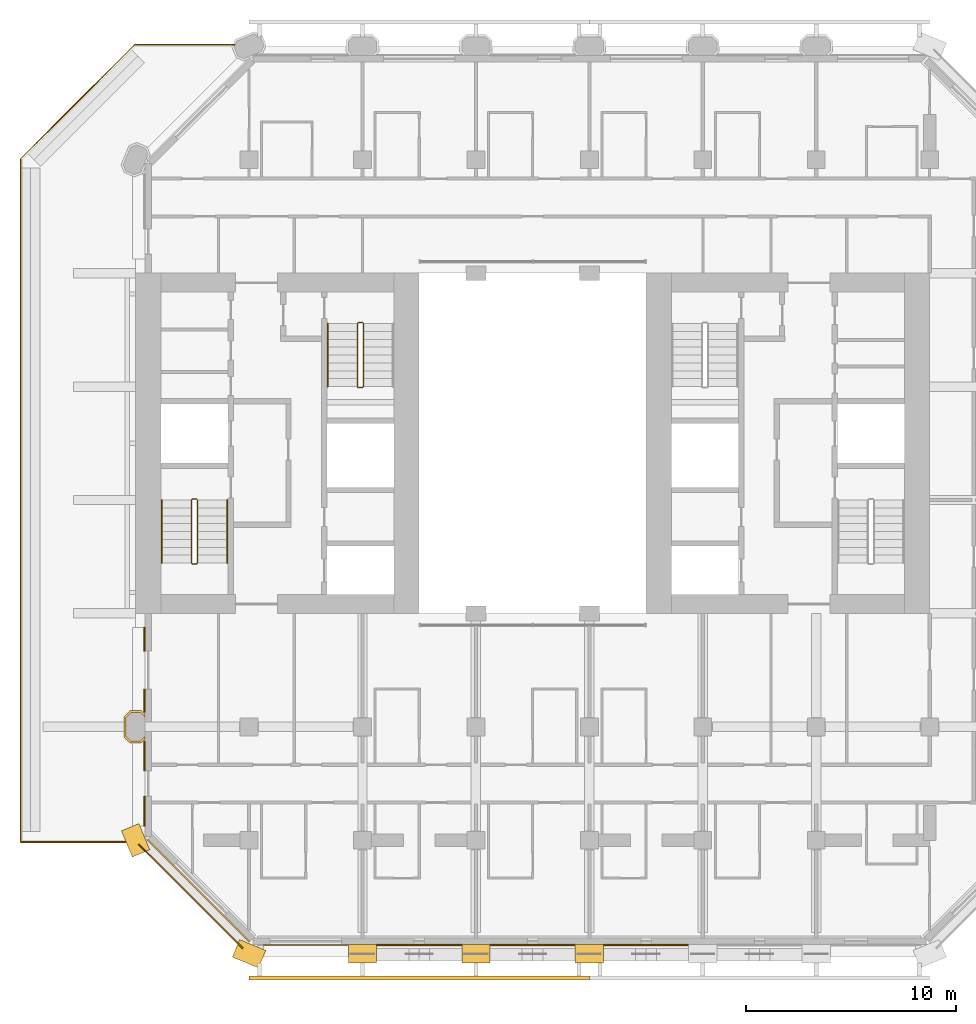
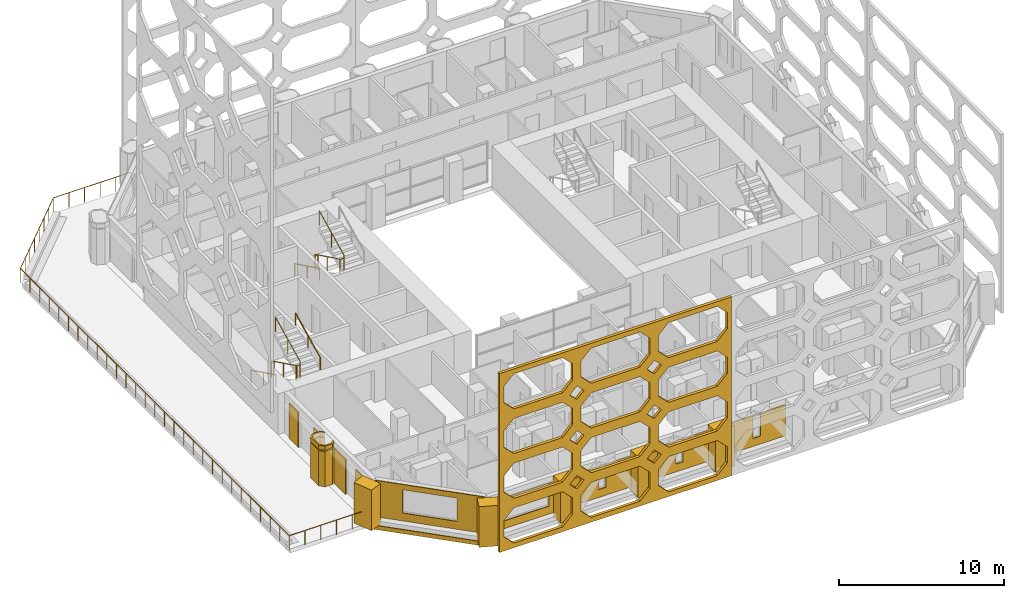
# One storey, part 13 of 16: 18 coverings, 6 railings.
"""IFC4 building model written with IfcOpenShell, lengths in metres."""

from ifc_helpers import new_model, si_unit, direction, frame, frame_2d, origin, origin_2d, place, context, subcontext, project, spatial, polyline, rectangle, circle, outline, extrude, material, layer, layer_set, type_object, element, save


model = new_model("IFC4")

# Units and contexts
model_context = context("Model", 3, precision=1e-05, world=origin(), true_north=direction((0.0, 1.0)))
body_context = subcontext(model_context, "Body", "Model", "MODEL_VIEW")
ifc_project = project(units=[si_unit("LENGTHUNIT", "METRE"), si_unit("AREAUNIT", "SQUARE_METRE"), si_unit("VOLUMEUNIT", "CUBIC_METRE"), si_unit("PLANEANGLEUNIT", "RADIAN"), si_unit("MASSUNIT", "GRAM", prefix="KILO")], contexts=[model_context])

# Site, building, storey
site_placement = place(None, origin())
site = spatial("IfcSite", under=ifc_project, at=site_placement, CompositionType="ELEMENT")
building_placement = place(site_placement, origin())
building = spatial("IfcBuilding", under=site, at=building_placement, Name="Tabaq Tower and Sports Hall", CompositionType="ELEMENT")
storey_placement = place(building_placement, frame((0.0, 0.0, 152.800048828125)))
storey = spatial("IfcBuildingStorey", under=building, at=storey_placement, Name="L35", CompositionType="ELEMENT", Elevation=152.800048828125)

# Coverings
ifc_material_1 = material(Name="Precast concrete C60/75", Category="concrete")
ifc_layer_1 = layer(ifc_material_1, 0.10009765625)
ifc_layer_set_1 = layer_set([ifc_layer_1], Name="Column cladding 100")
covering_type_1 = type_object("IfcCoveringType", Name="Column cladding 100", PredefinedType="CLADDING", material=ifc_layer_set_1)
covering_1_placement = place(storey_placement, origin())
element("IfcCovering", 1, at=covering_1_placement, inside=storey, type_object=covering_type_1, Name="Column cladding L35 PC-2C-H1", PredefinedType="CLADDING", context=body_context, shape_type="SweptSolid", body=[
    extrude(outline(polyline([(5.1337890625, 10.025390625), (4.850341796875, 10.30859375), (4.850341796875, 11.291259765625), (5.1337890625, 11.57470703125), (5.666259765625, 11.57470703125), (5.849609375, 11.391357421875), (5.849609375, 11.250732421875), (5.625244140625, 11.475341796875), (5.1748046875, 11.475341796875), (4.94970703125, 11.250244140625), (4.94970703125, 10.349853515625), (5.1748046875, 10.124755859375), (5.625244140625, 10.124755859375), (5.849609375, 10.349365234375), (5.849609375, 10.208740234375), (5.666259765625, 10.025390625), (5.1337890625, 10.025390625)])), origin(), (0.0, 0.0, 1.0), 2.599853515625),
])
covering_2_placement = place(storey_placement, frame((0.0, 0.0, 2.699951171875)))
element("IfcCovering", 2, at=covering_2_placement, inside=storey, type_object=covering_type_1, Name="Column cladding L35 PC-2C-H1 2", PredefinedType="CLADDING", context=body_context, shape_type="SweptSolid", body=[
    extrude(outline(polyline([(5.1337890625, 10.025390625), (4.850341796875, 10.30859375), (4.850341796875, 11.291259765625), (5.1337890625, 11.57470703125), (5.666259765625, 11.57470703125), (5.849609375, 11.391357421875), (5.849609375, 11.250732421875), (5.625244140625, 11.475341796875), (5.1748046875, 11.475341796875), (4.94970703125, 11.250244140625), (4.94970703125, 10.349853515625), (5.1748046875, 10.124755859375), (5.625244140625, 10.124755859375), (5.849609375, 10.349365234375), (5.849609375, 10.208740234375), (5.666259765625, 10.025390625), (5.1337890625, 10.025390625)])), origin(), (0.0, 0.0, 1.0), 0.300048828125),
])
ifc_material_2 = material(Name="Precast concrete C60/75", Category="concrete")
ifc_layer_2 = layer(ifc_material_2, 0.06005859375)
ifc_layer_set_2 = layer_set([ifc_layer_2], Name="Edge beam cladding 60")
covering_type_2 = type_object("IfcCoveringType", Name="Edge beam cladding 60", PredefinedType="CLADDING", material=ifc_layer_set_2)
covering_3_placement = place(storey_placement, frame((5.5556640625, 5.201904296875, -0.300048828125), z_axis=(0.0, 0.0, 1.0), x_axis=(0.707106781187, -0.707106781187, 0.0)))
element("IfcCovering", 3, at=covering_3_placement, inside=storey, type_object=covering_type_2, Name="Edge beam cladding L35 1", PredefinedType="CLADDING", context=body_context, shape_type="SweptSolid", body=[
    extrude(rectangle(XDim=6.984375, YDim=0.06005859375, at=frame_2d((3.4921875, 0.0))), origin(), (0.0, 0.0, 1.0), 0.300048828125),
])

# Railing
ifc_material_3 = material(Name="Stainless steel S316 and laminated glass", Category="steel")
railing_type_1 = type_object("IfcRailingType", Name="Guard 1100 steel and glass", PredefinedType="GUARDRAIL", material=ifc_material_3)
railing_1_placement = place(storey_placement, frame((5.39990234375, 5.320068359375, 0.0)))
element("IfcRailing", 4, at=railing_1_placement, inside=storey, type_object=railing_type_1, Name="Terrace guard L35", PredefinedType="GUARDRAIL", context=body_context, shape_type="SweptSolid", body=[
    extrude(circle(Radius=0.02490234375, at=origin_2d()), frame((0.0, 0.0, 1.0751953125), z_axis=(-1.0, 0.0, 0.0), x_axis=(0.0, -1.0, 0.0)), (0.0, 0.0, 1.0), 5.47998046875),
    extrude(circle(Radius=0.02490234375, at=origin_2d()), frame((-5.47998046875, 0.0, 1.0751953125), z_axis=(0.0, 1.0, 0.0), x_axis=(-1.0, 0.0, 0.0)), (0.0, 0.0, 1.0), 32.51318359375),
    extrude(circle(Radius=0.02490234375, at=origin_2d()), frame((-5.47998046875, 32.51318359375, 1.0751953125), z_axis=(0.70712262796, 0.707090934058, 0.0), x_axis=(-0.707090934058, 0.70712262796, 0.0)), (0.0, 0.0, 1.0), 7.703125),
    extrude(circle(Radius=0.02490234375, at=origin_2d()), frame((-0.032958984375, 37.9599609375, 1.0751953125), z_axis=(1.0, 0.0, 0.0), x_axis=(0.0, 1.0, 0.0)), (0.0, 0.0, 1.0), 5.43310546875),
    extrude(circle(Radius=0.02001953125, at=origin_2d()), origin(), (0.0, 0.0, 1.0), 1.050048828125),
    extrude(circle(Radius=0.02001953125, at=origin_2d()), frame((-1.095947265625, 0.0, 0.0)), (0.0, 0.0, 1.0), 1.050048828125),
    extrude(circle(Radius=0.02001953125, at=origin_2d()), frame((-2.19189453125, 0.0, 0.0)), (0.0, 0.0, 1.0), 1.050048828125),
    extrude(circle(Radius=0.02001953125, at=origin_2d()), frame((-3.2880859375, 0.0, 0.0)), (0.0, 0.0, 1.0), 1.050048828125),
    extrude(circle(Radius=0.02001953125, at=origin_2d()), frame((-4.384033203125, 0.0, 0.0)), (0.0, 0.0, 1.0), 1.050048828125),
    extrude(circle(Radius=0.02001953125, at=origin_2d()), frame((-5.47998046875, 0.0, 0.0)), (0.0, 0.0, 1.0), 1.050048828125),
    extrude(circle(Radius=0.02001953125, at=origin_2d()), frame((-5.47998046875, 1.1611328125, 0.0)), (0.0, 0.0, 1.0), 1.050048828125),
    extrude(circle(Radius=0.02001953125, at=origin_2d()), frame((-5.47998046875, 2.322265625, 0.0)), (0.0, 0.0, 1.0), 1.050048828125),
    extrude(circle(Radius=0.02001953125, at=origin_2d()), frame((-5.47998046875, 3.483642578125, 0.0)), (0.0, 0.0, 1.0), 1.050048828125),
    extrude(circle(Radius=0.02001953125, at=origin_2d()), frame((-5.47998046875, 4.644775390625, 0.0)), (0.0, 0.0, 1.0), 1.050048828125),
    extrude(circle(Radius=0.02001953125, at=origin_2d()), frame((-5.47998046875, 5.805908203125, 0.0)), (0.0, 0.0, 1.0), 1.050048828125),
    extrude(circle(Radius=0.02001953125, at=origin_2d()), frame((-5.47998046875, 6.967041015625, 0.0)), (0.0, 0.0, 1.0), 1.050048828125),
    extrude(circle(Radius=0.02001953125, at=origin_2d()), frame((-5.47998046875, 8.12841796875, 0.0)), (0.0, 0.0, 1.0), 1.050048828125),
    extrude(circle(Radius=0.02001953125, at=origin_2d()), frame((-5.47998046875, 9.28955078125, 0.0)), (0.0, 0.0, 1.0), 1.050048828125),
    extrude(circle(Radius=0.02001953125, at=origin_2d()), frame((-5.47998046875, 10.45068359375, 0.0)), (0.0, 0.0, 1.0), 1.050048828125),
    extrude(circle(Radius=0.02001953125, at=origin_2d()), frame((-5.47998046875, 11.61181640625, 0.0)), (0.0, 0.0, 1.0), 1.050048828125),
    extrude(circle(Radius=0.02001953125, at=origin_2d()), frame((-5.47998046875, 12.77294921875, 0.0)), (0.0, 0.0, 1.0), 1.050048828125),
    extrude(circle(Radius=0.02001953125, at=origin_2d()), frame((-5.47998046875, 13.934326171875, 0.0)), (0.0, 0.0, 1.0), 1.050048828125),
    extrude(circle(Radius=0.02001953125, at=origin_2d()), frame((-5.47998046875, 15.095458984375, 0.0)), (0.0, 0.0, 1.0), 1.050048828125),
    extrude(circle(Radius=0.02001953125, at=origin_2d()), frame((-5.47998046875, 16.256591796875, 0.0)), (0.0, 0.0, 1.0), 1.050048828125),
    extrude(circle(Radius=0.02001953125, at=origin_2d()), frame((-5.47998046875, 17.417724609375, 0.0)), (0.0, 0.0, 1.0), 1.050048828125),
    extrude(circle(Radius=0.02001953125, at=origin_2d()), frame((-5.47998046875, 18.578857421875, 0.0)), (0.0, 0.0, 1.0), 1.050048828125),
    extrude(circle(Radius=0.02001953125, at=origin_2d()), frame((-5.47998046875, 19.740234375, 0.0)), (0.0, 0.0, 1.0), 1.050048828125),
    extrude(circle(Radius=0.02001953125, at=origin_2d()), frame((-5.47998046875, 20.9013671875, 0.0)), (0.0, 0.0, 1.0), 1.050048828125),
    extrude(circle(Radius=0.02001953125, at=origin_2d()), frame((-5.47998046875, 22.0625, 0.0)), (0.0, 0.0, 1.0), 1.050048828125),
    extrude(circle(Radius=0.02001953125, at=origin_2d()), frame((-5.47998046875, 23.2236328125, 0.0)), (0.0, 0.0, 1.0), 1.050048828125),
    extrude(circle(Radius=0.02001953125, at=origin_2d()), frame((-5.47998046875, 24.384765625, 0.0)), (0.0, 0.0, 1.0), 1.050048828125),
    extrude(circle(Radius=0.02001953125, at=origin_2d()), frame((-5.47998046875, 25.546142578125, 0.0)), (0.0, 0.0, 1.0), 1.050048828125),
    extrude(circle(Radius=0.02001953125, at=origin_2d()), frame((-5.47998046875, 26.707275390625, 0.0)), (0.0, 0.0, 1.0), 1.050048828125),
    extrude(circle(Radius=0.02001953125, at=origin_2d()), frame((-5.47998046875, 27.868408203125, 0.0)), (0.0, 0.0, 1.0), 1.050048828125),
    extrude(circle(Radius=0.02001953125, at=origin_2d()), frame((-5.47998046875, 29.029541015625, 0.0)), (0.0, 0.0, 1.0), 1.050048828125),
    extrude(circle(Radius=0.02001953125, at=origin_2d()), frame((-5.47998046875, 30.19091796875, 0.0)), (0.0, 0.0, 1.0), 1.050048828125),
    extrude(circle(Radius=0.02001953125, at=origin_2d()), frame((-5.47998046875, 31.35205078125, 0.0)), (0.0, 0.0, 1.0), 1.050048828125),
    extrude(circle(Radius=0.02001953125, at=origin_2d()), frame((-5.47998046875, 32.51318359375, 0.0)), (0.0, 0.0, 1.0), 1.050048828125),
    extrude(circle(Radius=0.02001953125, at=origin_2d()), frame((-4.701904296875, 33.291259765625, 0.0)), (0.0, 0.0, 1.0), 1.050048828125),
    extrude(circle(Radius=0.02001953125, at=origin_2d()), frame((-3.923583984375, 34.0693359375, 0.0)), (0.0, 0.0, 1.0), 1.050048828125),
    extrude(circle(Radius=0.02001953125, at=origin_2d()), frame((-3.1455078125, 34.847412109375, 0.0)), (0.0, 0.0, 1.0), 1.050048828125),
    extrude(circle(Radius=0.02001953125, at=origin_2d()), frame((-2.367431640625, 35.625732421875, 0.0)), (0.0, 0.0, 1.0), 1.050048828125),
    extrude(circle(Radius=0.02001953125, at=origin_2d()), frame((-1.58935546875, 36.40380859375, 0.0)), (0.0, 0.0, 1.0), 1.050048828125),
    extrude(circle(Radius=0.02001953125, at=origin_2d()), frame((-0.81103515625, 37.181884765625, 0.0)), (0.0, 0.0, 1.0), 1.050048828125),
    extrude(circle(Radius=0.02001953125, at=origin_2d()), frame((-0.032958984375, 37.9599609375, 0.0)), (0.0, 0.0, 1.0), 1.050048828125),
    extrude(circle(Radius=0.02001953125, at=origin_2d()), frame((1.0537109375, 37.9599609375, 0.0)), (0.0, 0.0, 1.0), 1.050048828125),
    extrude(circle(Radius=0.02001953125, at=origin_2d()), frame((2.140380859375, 37.9599609375, 0.0)), (0.0, 0.0, 1.0), 1.050048828125),
    extrude(circle(Radius=0.02001953125, at=origin_2d()), frame((3.226806640625, 37.9599609375, 0.0)), (0.0, 0.0, 1.0), 1.050048828125),
    extrude(circle(Radius=0.02001953125, at=origin_2d()), frame((4.3134765625, 37.9599609375, 0.0)), (0.0, 0.0, 1.0), 1.050048828125),
    extrude(circle(Radius=0.02001953125, at=origin_2d()), frame((5.400146484375, 37.9599609375, 0.0)), (0.0, 0.0, 1.0), 1.050048828125),
])

# Coverings
ifc_material_4 = material(Name="White precast concrete C60/75", Category="concrete")
covering_type_3 = type_object("IfcCoveringType", Name="Pier cladding hung 1350x900", PredefinedType="CLADDING", material=ifc_material_4)
for number, where, z_axis, x_axis, name in (
    (5, (5.1416015625, 6.023681640625, 0.0), (0.0, 0.0, 1.0), (0.382649923473, -0.923893411637, 0.0), "Hung pier cladding 1/1"),
    (6, (10.17626953125, 0.25830078125, 0.0), (0.0, 0.0, 1.0), (0.923893411637, -0.382649923473, 0.0), "Hung pier cladding 2/0"),
    (7, (15.52490234375, 0.0, 0.0), (0.0, 0.0, 1.0), (1.0, 0.0, 0.0), "Hung pier cladding 3/0"),
):
    element("IfcCovering", number, at=place(storey_placement, frame(where, z_axis=z_axis, x_axis=x_axis)), inside=storey, type_object=covering_type_3, Name=name, PredefinedType="CLADDING", context=body_context, shape_type="SweptSolid", body=[
        extrude(rectangle(XDim=1.35009765625, YDim=0.89990234375, at=frame_2d((0.675048828125, 0.0))), origin(), (0.0, 0.0, 1.0), 3.0),
    ])
covering_4_placement = place(storey_placement, frame((20.925048828125, 0.0, 0.0), z_axis=(0.0, 0.0, 1.0), x_axis=(1.0, 0.0, 0.0)))
element("IfcCovering", 8, at=covering_4_placement, inside=storey, type_object=covering_type_3, Name="Hung pier cladding 4/0", PredefinedType="CLADDING", context=body_context, shape_type="SweptSolid", body=[
    extrude(rectangle(XDim=1.349853515625, YDim=0.89990234375, at=frame_2d((0.6748046875, 0.0))), origin(), (0.0, 0.0, 1.0), 3.0),
])
covering_5_placement = place(storey_placement, frame((26.324951171875, 0.0, 0.0), z_axis=(0.0, 0.0, 1.0), x_axis=(1.0, 0.0, 0.0)))
element("IfcCovering", 9, at=covering_5_placement, inside=storey, type_object=covering_type_3, Name="Hung pier cladding 5/0", PredefinedType="CLADDING", context=body_context, shape_type="SweptSolid", body=[
    extrude(rectangle(XDim=1.35009765625, YDim=0.89990234375, at=frame_2d((0.675048828125, 0.0))), origin(), (0.0, 0.0, 1.0), 3.0),
])

# Railings
ifc_material_5 = material(Name="Stainless steel", Category="steel")
railing_type_2 = type_object("IfcRailingType", Name="Stair guard", PredefinedType="GUARDRAIL", material=ifc_material_5)
railing_2_placement = place(storey_placement, frame((8.300048828125, 21.64990234375, 0.0)))
element("IfcRailing", 10, at=railing_2_placement, inside=storey, type_object=railing_type_2, Name="L35 ST1 stair guard 1", PredefinedType="GUARDRAIL", context=body_context, shape_type="SweptSolid", body=[
    extrude(circle(Radius=0.02392578125, at=origin_2d()), frame((0.0, 0.0, 1.076171875), z_axis=(-1.0, 0.0, 0.0), x_axis=(0.0, -1.0, 0.0)), (0.0, 0.0, 1.0), 0.199951171875),
    extrude(circle(Radius=0.02392578125, at=origin_2d()), frame((-0.199951171875, 0.0, 1.076171875), z_axis=(-0.254733673405, -0.25349107012, 0.933195066962), x_axis=(0.705375805398, -0.708833529934, 0.0)), (0.0, 0.0, 1.0), 0.196533203125),
    extrude(circle(Radius=0.02392578125, at=origin_2d()), frame((-0.25, -0.0498046875, 1.25927734375), z_axis=(0.0, -0.898397823093, 0.439182594671), x_axis=(1.0, 0.0, 0.0)), (0.0, 0.0, 1.0), 3.33935546875),
    extrude(circle(Radius=0.02392578125, at=origin_2d()), frame((-0.25, -3.0498046875, 2.72607421875), z_axis=(0.707106781187, -0.707106781187, 0.0), x_axis=(0.707106781187, 0.707106781187, 0.0)), (0.0, 0.0, 1.0), 0.07080078125),
    extrude(circle(Radius=0.02392578125, at=origin_2d()), frame((-0.199951171875, -3.099853515625, 2.72607421875), z_axis=(1.0, 0.0, 0.0), x_axis=(0.0, 1.0, 0.0)), (0.0, 0.0, 1.0), 0.199951171875),
    extrude(circle(Radius=0.02392578125, at=origin_2d()), frame((0.0, -3.099853515625, 2.72607421875), z_axis=(0.254653276557, 0.254653276557, 0.932900539971), x_axis=(-0.707106781187, 0.707106781187, 0.0)), (0.0, 0.0, 1.0), 0.196533203125),
    extrude(circle(Radius=0.02392578125, at=origin_2d()), frame((0.050048828125, -3.0498046875, 2.9091796875), z_axis=(0.0, 0.898368975038, 0.439241601728), x_axis=(-1.0, 0.0, 0.0)), (0.0, 0.0, 1.0), 3.33935546875),
    extrude(circle(Radius=0.02099609375, at=origin_2d()), origin(), (0.0, 0.0, 1.0), 1.052001953125),
    extrude(circle(Radius=0.02099609375, at=origin_2d()), frame((-0.199951171875, 0.0, 0.0)), (0.0, 0.0, 1.0), 1.052001953125),
    extrude(circle(Radius=0.02099609375, at=origin_2d()), frame((-0.25, -0.0498046875, 0.183349609375)), (0.0, 0.0, 1.0), 1.052001953125),
    extrude(circle(Radius=0.02099609375, at=origin_2d()), frame((-0.25, -1.5498046875, 0.91650390625)), (0.0, 0.0, 1.0), 1.052001953125),
    extrude(circle(Radius=0.02099609375, at=origin_2d()), frame((-0.25, -3.0498046875, 1.64990234375)), (0.0, 0.0, 1.0), 1.052001953125),
    extrude(circle(Radius=0.02099609375, at=origin_2d()), frame((-0.199951171875, -3.099853515625, 1.64990234375)), (0.0, 0.0, 1.0), 1.052001953125),
    extrude(circle(Radius=0.02099609375, at=origin_2d()), frame((0.0, -3.099853515625, 1.64990234375)), (0.0, 0.0, 1.0), 1.052001953125),
    extrude(circle(Radius=0.02099609375, at=origin_2d()), frame((0.050048828125, -3.0498046875, 1.833251953125)), (0.0, 0.0, 1.0), 1.052001953125),
    extrude(circle(Radius=0.02099609375, at=origin_2d()), frame((0.050048828125, -1.5498046875, 2.566650390625)), (0.0, 0.0, 1.0), 1.052001953125),
    extrude(circle(Radius=0.02099609375, at=origin_2d()), frame((0.050048828125, -0.0498046875, 3.300048828125)), (0.0, 0.0, 1.0), 1.052001953125),
])
railing_3_placement = place(storey_placement, frame((16.199951171875, 30.050048828125, 0.0)))
element("IfcRailing", 11, at=railing_3_placement, inside=storey, type_object=railing_type_2, Name="L35 ST2 stair guard 1", PredefinedType="GUARDRAIL", context=body_context, shape_type="SweptSolid", body=[
    extrude(circle(Radius=0.02392578125, at=origin_2d()), frame((0.0, 0.0, 1.076171875), z_axis=(-1.0, 0.0, 0.0), x_axis=(0.0, -1.0, 0.0)), (0.0, 0.0, 1.0), 0.199951171875),
    extrude(circle(Radius=0.02392578125, at=origin_2d()), frame((-0.199951171875, 0.0, 1.076171875), z_axis=(-0.254653276557, -0.254653276557, 0.932900539971), x_axis=(0.707106781187, -0.707106781187, 0.0)), (0.0, 0.0, 1.0), 0.196533203125),
    extrude(circle(Radius=0.02392578125, at=origin_2d()), frame((-0.25, -0.050048828125, 1.25927734375), z_axis=(0.0, -0.898397823093, 0.439182594671), x_axis=(1.0, 0.0, 0.0)), (0.0, 0.0, 1.0), 3.33935546875),
    extrude(circle(Radius=0.02392578125, at=origin_2d()), frame((-0.25, -3.050048828125, 2.72607421875), z_axis=(0.707106781187, -0.707106781187, 0.0), x_axis=(0.707106781187, 0.707106781187, 0.0)), (0.0, 0.0, 1.0), 0.07080078125),
    extrude(circle(Radius=0.02392578125, at=origin_2d()), frame((-0.199951171875, -3.10009765625, 2.72607421875), z_axis=(1.0, 0.0, 0.0), x_axis=(0.0, 1.0, 0.0)), (0.0, 0.0, 1.0), 0.199951171875),
    extrude(circle(Radius=0.02392578125, at=origin_2d()), frame((0.0, -3.10009765625, 2.72607421875), z_axis=(0.254653276557, 0.254653276557, 0.932900539971), x_axis=(-0.707106781187, 0.707106781187, 0.0)), (0.0, 0.0, 1.0), 0.196533203125),
    extrude(circle(Radius=0.02392578125, at=origin_2d()), frame((0.050048828125, -3.050048828125, 2.9091796875), z_axis=(0.0, 0.898368975038, 0.439241601728), x_axis=(-1.0, 0.0, 0.0)), (0.0, 0.0, 1.0), 3.33935546875),
    extrude(circle(Radius=0.02099609375, at=origin_2d()), origin(), (0.0, 0.0, 1.0), 1.052001953125),
    extrude(circle(Radius=0.02099609375, at=origin_2d()), frame((-0.199951171875, 0.0, 0.0)), (0.0, 0.0, 1.0), 1.052001953125),
    extrude(circle(Radius=0.02099609375, at=origin_2d()), frame((-0.25, -0.050048828125, 0.183349609375)), (0.0, 0.0, 1.0), 1.052001953125),
    extrude(circle(Radius=0.02099609375, at=origin_2d()), frame((-0.25, -1.550048828125, 0.91650390625)), (0.0, 0.0, 1.0), 1.052001953125),
    extrude(circle(Radius=0.02099609375, at=origin_2d()), frame((-0.25, -3.050048828125, 1.64990234375)), (0.0, 0.0, 1.0), 1.052001953125),
    extrude(circle(Radius=0.02099609375, at=origin_2d()), frame((-0.199951171875, -3.10009765625, 1.64990234375)), (0.0, 0.0, 1.0), 1.052001953125),
    extrude(circle(Radius=0.02099609375, at=origin_2d()), frame((0.0, -3.10009765625, 1.64990234375)), (0.0, 0.0, 1.0), 1.052001953125),
    extrude(circle(Radius=0.02099609375, at=origin_2d()), frame((0.050048828125, -3.050048828125, 1.833251953125)), (0.0, 0.0, 1.0), 1.052001953125),
    extrude(circle(Radius=0.02099609375, at=origin_2d()), frame((0.050048828125, -1.550048828125, 2.566650390625)), (0.0, 0.0, 1.0), 1.052001953125),
    extrude(circle(Radius=0.02099609375, at=origin_2d()), frame((0.050048828125, -0.050048828125, 3.300048828125)), (0.0, 0.0, 1.0), 1.052001953125),
])
ifc_material_6 = material(Name="Stainless steel", Category="steel")
railing_type_3 = type_object("IfcRailingType", Name="Stair handrail", PredefinedType="HANDRAIL", material=ifc_material_6)
railing_4_placement = place(storey_placement, frame((6.64990234375, 21.60009765625, 0.183349609375)))
element("IfcRailing", 12, at=railing_4_placement, inside=storey, type_object=railing_type_3, Name="L35 ST1 stair handrail 1", PredefinedType="HANDRAIL", context=body_context, shape_type="SweptSolid", body=[
    extrude(circle(Radius=0.02392578125, at=origin_2d()), frame((0.0, 0.0, 0.8759765625), z_axis=(0.0, -0.898397823093, 0.439182594671), x_axis=(1.0, 0.0, 0.0)), (0.0, 0.0, 1.0), 3.33935546875),
    extrude(circle(Radius=0.02099609375, at=origin_2d()), origin(), (0.0, 0.0, 1.0), 0.851806640625),
    extrude(circle(Radius=0.02099609375, at=origin_2d()), frame((0.0, -1.5, 0.7333984375)), (0.0, 0.0, 1.0), 0.851806640625),
    extrude(circle(Radius=0.02099609375, at=origin_2d()), frame((0.0, -3.0, 1.466552734375)), (0.0, 0.0, 1.0), 0.851806640625),
])
railing_5_placement = place(storey_placement, frame((9.75, 18.60009765625, 1.833251953125)))
element("IfcRailing", 13, at=railing_5_placement, inside=storey, type_object=railing_type_3, Name="L35 ST1 stair handrail 2", PredefinedType="HANDRAIL", context=body_context, shape_type="SweptSolid", body=[
    extrude(circle(Radius=0.02392578125, at=origin_2d()), frame((0.0, 0.0, 0.8759765625), z_axis=(0.0, 0.898368975038, 0.439241601728), x_axis=(-1.0, 0.0, 0.0)), (0.0, 0.0, 1.0), 3.33935546875),
    extrude(circle(Radius=0.02099609375, at=origin_2d()), origin(), (0.0, 0.0, 1.0), 0.851806640625),
    extrude(circle(Radius=0.02099609375, at=origin_2d()), frame((0.0, 1.5, 0.7333984375)), (0.0, 0.0, 1.0), 0.851806640625),
    extrude(circle(Radius=0.02099609375, at=origin_2d()), frame((0.0, 3.0, 1.466796875)), (0.0, 0.0, 1.0), 0.851806640625),
])
railing_6_placement = place(storey_placement, frame((14.550048828125, 30.0, 0.183349609375)))
element("IfcRailing", 14, at=railing_6_placement, inside=storey, type_object=railing_type_3, Name="L35 ST2 stair handrail 1", PredefinedType="HANDRAIL", context=body_context, shape_type="SweptSolid", body=[
    extrude(circle(Radius=0.02392578125, at=origin_2d()), frame((0.0, 0.0, 0.8759765625), z_axis=(0.0, -0.898397823093, 0.439182594671), x_axis=(1.0, 0.0, 0.0)), (0.0, 0.0, 1.0), 3.33935546875),
    extrude(circle(Radius=0.02099609375, at=origin_2d()), origin(), (0.0, 0.0, 1.0), 0.851806640625),
    extrude(circle(Radius=0.02099609375, at=origin_2d()), frame((0.0, -1.5, 0.7333984375)), (0.0, 0.0, 1.0), 0.851806640625),
    extrude(circle(Radius=0.02099609375, at=origin_2d()), frame((0.0, -3.0, 1.466552734375)), (0.0, 0.0, 1.0), 0.851806640625),
])

# Coverings
ifc_material_7 = material(Name="White precast concrete C60/75 pierced screen", Category="concrete")
ifc_layer_3 = layer(ifc_material_7, 0.199951171875)
ifc_layer_set_3 = layer_set([ifc_layer_3], Name="TRACERY SCREEN 200 C60/75")
covering_type_4 = type_object("IfcCoveringType", Name="TRACERY SCREEN 200 C60/75", PredefinedType="CLADDING", material=ifc_layer_set_3)
covering_6_placement = place(storey_placement, frame((10.800048828125, -1.14990234375, 0.0), z_axis=(0.0, 0.0, 1.0), x_axis=(1.0, 0.0, 0.0)))
element("IfcCovering", 15, at=covering_6_placement, inside=storey, type_object=covering_type_4, Name="Tracery screen H1 S L35-L38", PredefinedType="CLADDING", context=body_context, shape_type="SweptSolid", body=[
    extrude(outline(polyline([(0.0, 0.0), (16.199951171875, 0.0), (16.199951171875, 13.199951171875), (0.0, 13.199951171875), (0.0, 0.0)]), holes=[polyline([(1.0, 0.349853515625), (4.39990234375, 0.349853515625), (5.10009765625, 1.050048828125), (5.10009765625, 2.25), (4.39990234375, 2.949951171875), (1.0, 2.949951171875), (0.300048828125, 2.25), (0.300048828125, 1.050048828125), (1.0, 0.349853515625)]), polyline([(6.39990234375, 0.349853515625), (9.800048828125, 0.349853515625), (10.5, 1.050048828125), (10.5, 2.25), (9.800048828125, 2.949951171875), (6.39990234375, 2.949951171875), (5.699951171875, 2.25), (5.699951171875, 1.050048828125), (6.39990234375, 0.349853515625)]), polyline([(11.800048828125, 0.349853515625), (15.199951171875, 0.349853515625), (15.89990234375, 1.050048828125), (15.89990234375, 2.25), (15.199951171875, 2.949951171875), (11.800048828125, 2.949951171875), (11.10009765625, 2.25), (11.10009765625, 1.050048828125), (11.800048828125, 0.349853515625)]), polyline([(1.0, 3.64990234375), (4.39990234375, 3.64990234375), (5.10009765625, 4.349853515625), (5.10009765625, 5.550048828125), (4.39990234375, 6.25), (1.0, 6.25), (0.300048828125, 5.550048828125), (0.300048828125, 4.349853515625), (1.0, 3.64990234375)]), polyline([(6.39990234375, 3.64990234375), (9.800048828125, 3.64990234375), (10.5, 4.349853515625), (10.5, 5.550048828125), (9.800048828125, 6.25), (6.39990234375, 6.25), (5.699951171875, 5.550048828125), (5.699951171875, 4.349853515625), (6.39990234375, 3.64990234375)]), polyline([(11.800048828125, 3.64990234375), (15.199951171875, 3.64990234375), (15.89990234375, 4.349853515625), (15.89990234375, 5.550048828125), (15.199951171875, 6.25), (11.800048828125, 6.25), (11.10009765625, 5.550048828125), (11.10009765625, 4.349853515625), (11.800048828125, 3.64990234375)]), polyline([(1.0, 6.949951171875), (4.39990234375, 6.949951171875), (5.10009765625, 7.64990234375), (5.10009765625, 8.849853515625), (4.39990234375, 9.550048828125), (1.0, 9.550048828125), (0.300048828125, 8.849853515625), (0.300048828125, 7.64990234375), (1.0, 6.949951171875)]), polyline([(6.39990234375, 6.949951171875), (9.800048828125, 6.949951171875), (10.5, 7.64990234375), (10.5, 8.849853515625), (9.800048828125, 9.550048828125), (6.39990234375, 9.550048828125), (5.699951171875, 8.849853515625), (5.699951171875, 7.64990234375), (6.39990234375, 6.949951171875)]), polyline([(11.800048828125, 6.949951171875), (15.199951171875, 6.949951171875), (15.89990234375, 7.64990234375), (15.89990234375, 8.849853515625), (15.199951171875, 9.550048828125), (11.800048828125, 9.550048828125), (11.10009765625, 8.849853515625), (11.10009765625, 7.64990234375), (11.800048828125, 6.949951171875)]), polyline([(1.0, 10.25), (4.39990234375, 10.25), (5.10009765625, 10.949951171875), (5.10009765625, 12.14990234375), (4.39990234375, 12.849853515625), (1.0, 12.849853515625), (0.300048828125, 12.14990234375), (0.300048828125, 10.949951171875), (1.0, 10.25)]), polyline([(6.39990234375, 10.25), (9.800048828125, 10.25), (10.5, 10.949951171875), (10.5, 12.14990234375), (9.800048828125, 12.849853515625), (6.39990234375, 12.849853515625), (5.699951171875, 12.14990234375), (5.699951171875, 10.949951171875), (6.39990234375, 10.25)]), polyline([(11.800048828125, 10.25), (15.199951171875, 10.25), (15.89990234375, 10.949951171875), (15.89990234375, 12.14990234375), (15.199951171875, 12.849853515625), (11.800048828125, 12.849853515625), (11.10009765625, 12.14990234375), (11.10009765625, 10.949951171875), (11.800048828125, 10.25)]), polyline([(5.89990234375, 3.300048828125), (5.39990234375, 3.800048828125), (4.89990234375, 3.300048828125), (5.39990234375, 2.800048828125), (5.89990234375, 3.300048828125)]), polyline([(11.300048828125, 3.300048828125), (10.800048828125, 3.800048828125), (10.300048828125, 3.300048828125), (10.800048828125, 2.800048828125), (11.300048828125, 3.300048828125)]), polyline([(5.89990234375, 6.599853515625), (5.39990234375, 7.099853515625), (4.89990234375, 6.599853515625), (5.39990234375, 6.099853515625), (5.89990234375, 6.599853515625)]), polyline([(11.300048828125, 6.599853515625), (10.800048828125, 7.099853515625), (10.300048828125, 6.599853515625), (10.800048828125, 6.099853515625), (11.300048828125, 6.599853515625)]), polyline([(5.89990234375, 9.89990234375), (5.39990234375, 10.39990234375), (4.89990234375, 9.89990234375), (5.39990234375, 9.39990234375), (5.89990234375, 9.89990234375)]), polyline([(11.300048828125, 9.89990234375), (10.800048828125, 10.39990234375), (10.300048828125, 9.89990234375), (10.800048828125, 9.39990234375), (11.300048828125, 9.89990234375)])]), frame((0.0, 0.10009765625, 0.0), z_axis=(0.0, -1.0, 0.0), x_axis=(1.0, 0.0, 0.0)), (0.0, 0.0, 1.0), 0.199951171875),
])
ifc_material_8 = material(Name="Precast concrete C60/75", Category="concrete")
ifc_layer_4 = layer(ifc_material_8, 0.06005859375)
ifc_layer_set_4 = layer_set([ifc_layer_4], Name="White precast cladding panel 60 C60/75")
covering_type_5 = type_object("IfcCoveringType", Name="White precast cladding panel 60 C60/75", PredefinedType="CLADDING", material=ifc_layer_set_4)
covering_7_placement = place(storey_placement, frame((11.465087890625, 0.419921875, 0.31005859375), z_axis=(0.0, 0.0, 1.0), x_axis=(1.0, 0.0, 0.0)))
element("IfcCovering", 16, at=covering_7_placement, inside=storey, type_object=covering_type_5, Name="White precast cladding panel L35 wall00", PredefinedType="CLADDING", context=body_context, shape_type="SweptSolid", body=[
    extrude(outline(polyline([(0.0, 0.0), (4.0498046875, 0.0), (4.0498046875, 2.27978515625), (0.0, 2.27978515625), (0.0, 0.0)]), holes=[polyline([(3.7451171875, 0.579833984375), (0.324951171875, 0.579833984375), (0.324951171875, 2.25), (3.7451171875, 2.25), (3.7451171875, 0.579833984375)])]), frame((0.0, 0.030029296875, 0.0), z_axis=(0.0, -1.0, 0.0), x_axis=(1.0, 0.0, 0.0)), (0.0, 0.0, 1.0), 0.06005859375),
])
for number, where, z_axis, x_axis, name in (
    (17, (16.885009765625, 0.419921875, 0.31005859375), (0.0, 0.0, 1.0), (1.0, 0.0, 0.0), "White precast cladding panel L35 wall00 2"),
    (18, (22.284912109375, 0.419921875, 0.31005859375), (0.0, 0.0, 1.0), (1.0, 0.0, 0.0), "White precast cladding panel L35 wall00 3"),
    (19, (27.68505859375, 0.419921875, 0.31005859375), (0.0, 0.0, 1.0), (1.0, 0.0, 0.0), "White precast cladding panel L35 wall00 4"),
):
    element("IfcCovering", number, at=place(storey_placement, frame(where, z_axis=z_axis, x_axis=x_axis)), inside=storey, type_object=covering_type_5, Name=name, PredefinedType="CLADDING", context=body_context, shape_type="SweptSolid", body=[
        extrude(outline(polyline([(0.0, 0.0), (4.030029296875, 0.0), (4.030029296875, 2.27978515625), (0.0, 2.27978515625), (0.0, 0.0)]), holes=[polyline([(2.27490234375, 0.579833984375), (1.7548828125, 0.579833984375), (1.7548828125, 2.25), (2.27490234375, 2.25), (2.27490234375, 0.579833984375)])]), frame((0.0, 0.030029296875, 0.0), z_axis=(0.0, -1.0, 0.0), x_axis=(1.0, 0.0, 0.0)), (0.0, 0.0, 1.0), 0.06005859375),
    ])
covering_8_placement = place(storey_placement, frame((5.820068359375, 15.534912109375, 0.0), z_axis=(0.0, 0.0, 1.0), x_axis=(0.0, -1.0, 0.0)))
element("IfcCovering", 20, at=covering_8_placement, inside=storey, type_object=covering_type_5, Name="White precast cladding panel L35 wall06-1", PredefinedType="CLADDING", context=body_context, shape_type="SweptSolid", body=[
    extrude(rectangle(XDim=1.125, YDim=0.06005859375, at=frame_2d((0.5625, 0.0))), origin(), (0.0, 0.0, 1.0), 2.58984375),
])
covering_9_placement = place(storey_placement, frame((5.820068359375, 12.590087890625, 0.0), z_axis=(0.0, 0.0, 1.0), x_axis=(0.0, -1.0, 0.0)))
element("IfcCovering", 21, at=covering_9_placement, inside=storey, type_object=covering_type_5, Name="White precast cladding panel L35 wall06-1 2", PredefinedType="CLADDING", context=body_context, shape_type="SweptSolid", body=[
    extrude(rectangle(XDim=1.10498046875, YDim=0.06005859375, at=frame_2d((0.552490234375, 0.0))), origin(), (0.0, 0.0, 1.0), 2.58984375),
])
covering_10_placement = place(storey_placement, frame((5.820068359375, 10.114990234375, 0.0), z_axis=(0.0, 0.0, 1.0), x_axis=(0.0, -1.0, 0.0)))
element("IfcCovering", 22, at=covering_10_placement, inside=storey, type_object=covering_type_5, Name="White precast cladding panel L35 wall06-1 3", PredefinedType="CLADDING", context=body_context, shape_type="SweptSolid", body=[
    extrude(rectangle(XDim=1.405029296875, YDim=0.06005859375, at=frame_2d((0.70263671875, 0.0))), origin(), (0.0, 0.0, 1.0), 2.58984375),
])
covering_11_placement = place(storey_placement, frame((5.820068359375, 7.489990234375, 0.0), z_axis=(0.0, 0.0, 1.0), x_axis=(0.0, -1.0, 0.0)))
element("IfcCovering", 23, at=covering_11_placement, inside=storey, type_object=covering_type_5, Name="White precast cladding panel L35 wall06-1 4", PredefinedType="CLADDING", context=body_context, shape_type="SweptSolid", body=[
    extrude(rectangle(XDim=1.425048828125, YDim=0.06005859375, at=frame_2d((0.71240234375, 0.0))), origin(), (0.0, 0.0, 1.0), 2.58984375),
])
covering_12_placement = place(storey_placement, frame((5.9716796875, 5.42236328125, 0.31005859375), z_axis=(0.0, 0.0, 1.0), x_axis=(0.707106781187, -0.707106781187, 0.0)))
element("IfcCovering", 24, at=covering_12_placement, inside=storey, type_object=covering_type_5, Name="White precast cladding panel L35 wall07", PredefinedType="CLADDING", context=body_context, shape_type="SweptSolid", body=[
    extrude(outline(polyline([(0.0, 0.0), (6.856201171875, 0.0), (6.856201171875, 2.68994140625), (0.0, 2.68994140625), (0.0, 0.0)]), holes=[polyline([(1.7197265625, 0.579833984375), (1.7197265625, 2.2998046875), (5.139892578125, 2.2998046875), (5.139892578125, 0.579833984375), (1.7197265625, 0.579833984375)])]), frame((0.0, 0.030029296875, 0.0), z_axis=(0.0, -1.0, 0.0), x_axis=(1.0, 0.0, 0.0)), (0.0, 0.0, 1.0), 0.06005859375),
])

save(model, "model.ifc")
